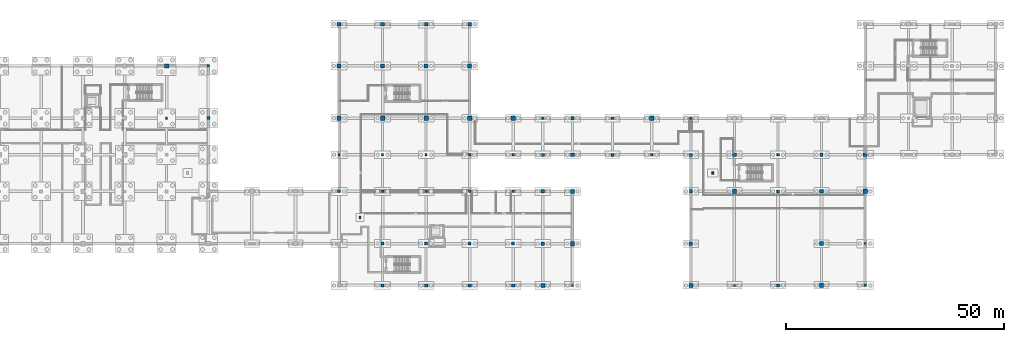
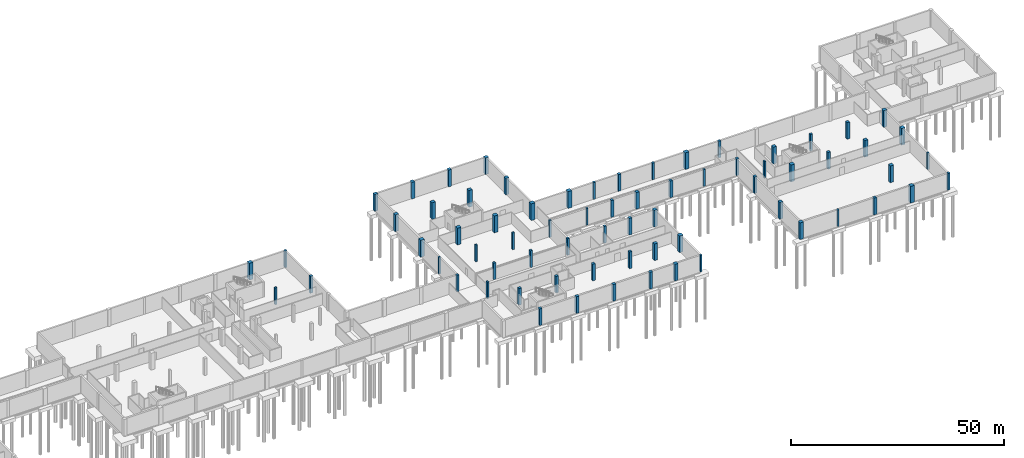
# One storey, part 9 of 28: 70 columns.
"""IFC4 building model written with IfcOpenShell, lengths in metres."""

from ifc_helpers import new_model, si_unit, direction, frame, origin, origin_2d, place, context, subcontext, project, spatial, rectangle, extrude, material, material_profile, profile_set, type_object, element, save


model = new_model("IFC4")

# Units and contexts
model_context = context("Model", 3, precision=1e-05, world=origin(), true_north=direction((0.0, 1.0)))
body_context = subcontext(model_context, "Body", "Model", "MODEL_VIEW")
ifc_project = project(units=[si_unit("LENGTHUNIT", "METRE"), si_unit("AREAUNIT", "SQUARE_METRE"), si_unit("VOLUMEUNIT", "CUBIC_METRE"), si_unit("PLANEANGLEUNIT", "RADIAN"), si_unit("MASSUNIT", "GRAM", prefix="KILO")], contexts=[model_context])

# Site, building, storey
site_placement = place(None, origin())
site = spatial("IfcSite", under=ifc_project, at=site_placement, CompositionType="ELEMENT")
building_placement = place(site_placement, origin())
building = spatial("IfcBuilding", under=site, at=building_placement, Name="Zereglee Splitstone Museum", CompositionType="ELEMENT")
storey_placement = place(building_placement, frame((0.0, 0.0, -4.800048828125)))
storey = spatial("IfcBuildingStorey", under=building, at=storey_placement, Name="B1", CompositionType="ELEMENT", Elevation=-4.800048828125)

# Columns
ifc_material = material(Name="Concrete C45/55", Category="concrete")
ifc_material_profile_1 = material_profile(ifc_material, rectangle(XDim=1.0, YDim=1.0, at=origin_2d()), Name="RC 1000x1000")
ifc_profile_set_1 = profile_set([ifc_material_profile_1], Name="Concrete C45/55")
column_type_1 = type_object("IfcColumnType", Name="C-02", PredefinedType="COLUMN", material=ifc_profile_set_1)
for number, where, z_axis, x_axis, name in (
    (1, (135.60009765625, 50.39990234375, 0.0), (0.0, 0.0, 1.0), (1.0, 0.0, 0.0), "Column 16/F B1"),
    (2, (175.199951171875, 38.39990234375, 0.0), (0.0, 0.0, 1.0), (1.0, 0.0, 0.0), "Column 20/E B1"),
    (3, (185.199951171875, 38.39990234375, 0.0), (0.0, 0.0, 1.0), (1.0, 0.0, 0.0), "Column 21/E B1"),
    (4, (195.199951171875, 38.39990234375, 0.0), (0.0, 0.0, 1.0), (1.0, 0.0, 0.0), "Column 22/E B1"),
    (5, (205.199951171875, 38.39990234375, 0.0), (0.0, 0.0, 1.0), (1.0, 0.0, 0.0), "Column 23/E B1"),
    (6, (215.199951171875, 38.39990234375, 0.0), (0.0, 0.0, 1.0), (1.0, 0.0, 0.0), "Column 24/E B1"),
    (7, (228.800048828125, 9.60009765625, 0.0), (0.0, 0.0, 1.0), (1.0, 0.0, 0.0), "Column 26/B B1"),
    (8, (247.0, 38.39990234375, 0.0), (0.0, 0.0, 1.0), (1.0, 0.0, 0.0), "Column 28/E B1"),
    (9, (266.0, 21.60009765625, 0.0), (0.0, 0.0, 1.0), (1.0, 0.0, 0.0), "Column 30/C B1"),
    (10, (286.0, 0.0, 0.0), (0.0, 0.0, 1.0), (1.0, 0.0, 0.0), "Column 32/A B1"),
    (11, (296.0, 21.60009765625, 0.0), (0.0, 0.0, 1.0), (1.0, 0.0, 0.0), "Column 33/C B1"),
):
    element("IfcColumn", number, at=place(storey_placement, frame(where, z_axis=z_axis, x_axis=x_axis)), inside=storey, type_object=column_type_1, Name=name, PredefinedType="COLUMN", context=body_context, shape_type="SweptSolid", body=[
        extrude(rectangle(XDim=1.0, YDim=1.0, at=origin_2d()), origin(), (0.0, 0.0, 1.0), 4.800048828125),
    ])
ifc_material_profile_2 = material_profile(ifc_material, rectangle(XDim=0.5, YDim=0.5, at=origin_2d()), Name="RC 500x500")
ifc_profile_set_2 = profile_set([ifc_material_profile_2], Name="Concrete C45/55")
column_type_2 = type_object("IfcColumnType", Name="C-08", PredefinedType="COLUMN", material=ifc_profile_set_2)
for number, where, z_axis, x_axis, name in (
    (12, (135.60009765625, 38.39990234375, 0.0), (0.0, 0.0, 1.0), (1.0, 0.0, 0.0), "Column 16/E B1"),
    (13, (175.199951171875, 30.0, 0.0), (0.0, 0.0, 1.0), (1.0, 0.0, 0.0), "Column 20/D B1"),
    (14, (185.199951171875, 30.0, 0.0), (0.0, 0.0, 1.0), (1.0, 0.0, 0.0), "Column 21/D B1"),
    (15, (195.199951171875, 30.0, 0.0), (0.0, 0.0, 1.0), (1.0, 0.0, 0.0), "Column 22/D B1"),
    (16, (205.199951171875, 30.0, 0.0), (0.0, 0.0, 1.0), (1.0, 0.0, 0.0), "Column 23/D B1"),
    (17, (215.199951171875, 30.0, 0.0), (0.0, 0.0, 1.0), (1.0, 0.0, 0.0), "Column 24/D B1"),
    (18, (228.800048828125, 0.0, 0.0), (0.0, 0.0, 1.0), (1.0, 0.0, 0.0), "Column 26/A B1"),
    (19, (247.0, 30.0, 0.0), (0.0, 0.0, 1.0), (1.0, 0.0, 0.0), "Column 28/D B1"),
    (20, (266.0, 0.0, 0.0), (0.0, 0.0, 1.0), (1.0, 0.0, 0.0), "Column 30/A B1"),
    (21, (296.0, 9.60009765625, 0.0), (0.0, 0.0, 1.0), (1.0, 0.0, 0.0), "Column 33/B B1"),
):
    element("IfcColumn", number, at=place(storey_placement, frame(where, z_axis=z_axis, x_axis=x_axis)), inside=storey, type_object=column_type_2, Name=name, PredefinedType="COLUMN", context=body_context, shape_type="SweptSolid", body=[
        extrude(rectangle(XDim=0.5, YDim=0.5, at=origin_2d()), origin(), (0.0, 0.0, 1.0), 4.800048828125),
    ])
ifc_material_profile_3 = material_profile(ifc_material, rectangle(XDim=0.60009765625, YDim=0.60009765625, at=origin_2d()), Name="RC 600x600")
ifc_profile_set_3 = profile_set([ifc_material_profile_3], Name="Concrete C45/55")
column_type_3 = type_object("IfcColumnType", Name="C-07", PredefinedType="COLUMN", material=ifc_profile_set_3)
for number, where, z_axis, x_axis, name in (
    (22, (145.199951171875, 50.39990234375, 0.0), (0.0, 0.0, 1.0), (1.0, 0.0, 0.0), "Column 17/F B1"),
    (23, (175.199951171875, 21.60009765625, 0.0), (0.0, 0.0, 1.0), (1.0, 0.0, 0.0), "Column 20/C B1"),
    (24, (185.199951171875, 21.60009765625, 0.0), (0.0, 0.0, 1.0), (1.0, 0.0, 0.0), "Column 21/C B1"),
    (25, (195.199951171875, 21.60009765625, 0.0), (0.0, 0.0, 1.0), (1.0, 0.0, 0.0), "Column 22/C B1"),
    (26, (205.199951171875, 21.60009765625, 0.0), (0.0, 0.0, 1.0), (1.0, 0.0, 0.0), "Column 23/C B1"),
    (27, (215.199951171875, 21.60009765625, 0.0), (0.0, 0.0, 1.0), (1.0, 0.0, 0.0), "Column 24/C B1"),
    (28, (222.0, 38.39990234375, 0.0), (0.0, 0.0, 1.0), (1.0, 0.0, 0.0), "Column 25/E B1"),
    (29, (238.0, 38.39990234375, 0.0), (0.0, 0.0, 1.0), (1.0, 0.0, 0.0), "Column 27/E B1"),
    (30, (256.0, 38.39990234375, 0.0), (0.0, 0.0, 1.0), (1.0, 0.0, 0.0), "Column 29/E B1"),
    (31, (276.0, 30.0, 0.0), (0.0, 0.0, 1.0), (1.0, 0.0, 0.0), "Column 31/D B1"),
    (32, (296.0, 0.0, 0.0), (0.0, 0.0, 1.0), (1.0, 0.0, 0.0), "Column 33/A B1"),
):
    element("IfcColumn", number, at=place(storey_placement, frame(where, z_axis=z_axis, x_axis=x_axis)), inside=storey, type_object=column_type_3, Name=name, PredefinedType="COLUMN", context=body_context, shape_type="SweptSolid", body=[
        extrude(rectangle(XDim=0.60009765625, YDim=0.60009765625, at=origin_2d()), origin(), (0.0, 0.0, 1.0), 4.800048828125),
    ])
ifc_material_profile_4 = material_profile(ifc_material, rectangle(XDim=0.699951171875, YDim=0.699951171875, at=origin_2d()), Name="RC 700x700")
ifc_profile_set_4 = profile_set([ifc_material_profile_4], Name="Concrete C45/55")
column_type_4 = type_object("IfcColumnType", Name="C-06", PredefinedType="COLUMN", material=ifc_profile_set_4)
for number, where, z_axis, x_axis, name in (
    (33, (145.199951171875, 38.39990234375, 0.0), (0.0, 0.0, 1.0), (1.0, 0.0, 0.0), "Column 17/E B1"),
    (34, (185.199951171875, 9.60009765625, 0.0), (0.0, 0.0, 1.0), (1.0, 0.0, 0.0), "Column 21/B B1"),
    (35, (195.199951171875, 9.60009765625, 0.0), (0.0, 0.0, 1.0), (1.0, 0.0, 0.0), "Column 22/B B1"),
    (36, (205.199951171875, 9.60009765625, 0.0), (0.0, 0.0, 1.0), (1.0, 0.0, 0.0), "Column 23/B B1"),
    (37, (215.199951171875, 9.60009765625, 0.0), (0.0, 0.0, 1.0), (1.0, 0.0, 0.0), "Column 24/B B1"),
    (38, (222.0, 30.0, 0.0), (0.0, 0.0, 1.0), (1.0, 0.0, 0.0), "Column 25/D B1"),
    (39, (238.0, 30.0, 0.0), (0.0, 0.0, 1.0), (1.0, 0.0, 0.0), "Column 27/D B1"),
    (40, (256.0, 30.0, 0.0), (0.0, 0.0, 1.0), (1.0, 0.0, 0.0), "Column 29/D B1"),
    (41, (276.0, 21.60009765625, 0.0), (0.0, 0.0, 1.0), (1.0, 0.0, 0.0), "Column 31/C B1"),
):
    element("IfcColumn", number, at=place(storey_placement, frame(where, z_axis=z_axis, x_axis=x_axis)), inside=storey, type_object=column_type_4, Name=name, PredefinedType="COLUMN", context=body_context, shape_type="SweptSolid", body=[
        extrude(rectangle(XDim=0.699951171875, YDim=0.699951171875, at=origin_2d()), origin(), (0.0, 0.0, 1.0), 4.800048828125),
    ])
ifc_material_profile_5 = material_profile(ifc_material, rectangle(XDim=0.75, YDim=0.75, at=origin_2d()), Name="RC 750x750")
ifc_profile_set_5 = profile_set([ifc_material_profile_5], Name="Concrete C45/55")
column_type_5 = type_object("IfcColumnType", Name="C-05", PredefinedType="COLUMN", material=ifc_profile_set_5)
for number, where, z_axis, x_axis, name in (
    (42, (185.199951171875, 0.0, 0.0), (0.0, 0.0, 1.0), (1.0, 0.0, 0.0), "Column 21/A B1"),
    (43, (195.199951171875, 0.0, 0.0), (0.0, 0.0, 1.0), (1.0, 0.0, 0.0), "Column 22/A B1"),
    (44, (205.199951171875, 0.0, 0.0), (0.0, 0.0, 1.0), (1.0, 0.0, 0.0), "Column 23/A B1"),
    (45, (215.199951171875, 0.0, 0.0), (0.0, 0.0, 1.0), (1.0, 0.0, 0.0), "Column 24/A B1"),
    (46, (222.0, 21.60009765625, 0.0), (0.0, 0.0, 1.0), (1.0, 0.0, 0.0), "Column 25/C B1"),
    (47, (228.800048828125, 38.39990234375, 0.0), (0.0, 0.0, 1.0), (1.0, 0.0, 0.0), "Column 26/E B1"),
    (48, (256.0, 21.60009765625, 0.0), (0.0, 0.0, 1.0), (1.0, 0.0, 0.0), "Column 29/C B1"),
    (49, (276.0, 0.0, 0.0), (0.0, 0.0, 1.0), (1.0, 0.0, 0.0), "Column 31/A B1"),
    (50, (286.0, 30.0, 0.0), (0.0, 0.0, 1.0), (1.0, 0.0, 0.0), "Column 32/D B1"),
):
    element("IfcColumn", number, at=place(storey_placement, frame(where, z_axis=z_axis, x_axis=x_axis)), inside=storey, type_object=column_type_5, Name=name, PredefinedType="COLUMN", context=body_context, shape_type="SweptSolid", body=[
        extrude(rectangle(XDim=0.75, YDim=0.75, at=origin_2d()), origin(), (0.0, 0.0, 1.0), 4.800048828125),
    ])
ifc_material_profile_6 = material_profile(ifc_material, rectangle(XDim=0.85009765625, YDim=0.85009765625, at=origin_2d()), Name="RC 850x850")
ifc_profile_set_6 = profile_set([ifc_material_profile_6], Name="Concrete C45/55")
column_type_6 = type_object("IfcColumnType", Name="C-04", PredefinedType="COLUMN", material=ifc_profile_set_6)
for number, where, z_axis, x_axis, name in (
    (51, (175.199951171875, 60.0, 0.0), (0.0, 0.0, 1.0), (1.0, 0.0, 0.0), "Column 20/G B1"),
    (52, (185.199951171875, 60.0, 0.0), (0.0, 0.0, 1.0), (1.0, 0.0, 0.0), "Column 21/G B1"),
    (53, (195.199951171875, 60.0, 0.0), (0.0, 0.0, 1.0), (1.0, 0.0, 0.0), "Column 22/G B1"),
    (54, (205.199951171875, 60.0, 0.0), (0.0, 0.0, 1.0), (1.0, 0.0, 0.0), "Column 23/G B1"),
    (55, (222.0, 9.60009765625, 0.0), (0.0, 0.0, 1.0), (1.0, 0.0, 0.0), "Column 25/B B1"),
    (56, (228.800048828125, 30.0, 0.0), (0.0, 0.0, 1.0), (1.0, 0.0, 0.0), "Column 26/D B1"),
    (57, (256.0, 9.60009765625, 0.0), (0.0, 0.0, 1.0), (1.0, 0.0, 0.0), "Column 29/B B1"),
    (58, (286.0, 21.60009765625, 0.0), (0.0, 0.0, 1.0), (1.0, 0.0, 0.0), "Column 32/C B1"),
):
    element("IfcColumn", number, at=place(storey_placement, frame(where, z_axis=z_axis, x_axis=x_axis)), inside=storey, type_object=column_type_6, Name=name, PredefinedType="COLUMN", context=body_context, shape_type="SweptSolid", body=[
        extrude(rectangle(XDim=0.85009765625, YDim=0.85009765625, at=origin_2d()), origin(), (0.0, 0.0, 1.0), 4.800048828125),
    ])
ifc_material_profile_7 = material_profile(ifc_material, rectangle(XDim=0.89990234375, YDim=0.89990234375, at=origin_2d()), Name="RC 900x900")
ifc_profile_set_7 = profile_set([ifc_material_profile_7], Name="Concrete C45/55")
column_type_7 = type_object("IfcColumnType", Name="C-03", PredefinedType="COLUMN", material=ifc_profile_set_7)
for number, where, z_axis, x_axis, name in (
    (59, (175.199951171875, 50.39990234375, 0.0), (0.0, 0.0, 1.0), (1.0, 0.0, 0.0), "Column 20/F B1"),
    (60, (185.199951171875, 50.39990234375, 0.0), (0.0, 0.0, 1.0), (1.0, 0.0, 0.0), "Column 21/F B1"),
    (61, (195.199951171875, 50.39990234375, 0.0), (0.0, 0.0, 1.0), (1.0, 0.0, 0.0), "Column 22/F B1"),
    (62, (205.199951171875, 50.39990234375, 0.0), (0.0, 0.0, 1.0), (1.0, 0.0, 0.0), "Column 23/F B1"),
    (63, (222.0, 0.0, 0.0), (0.0, 0.0, 1.0), (1.0, 0.0, 0.0), "Column 25/A B1"),
    (64, (228.800048828125, 21.60009765625, 0.0), (0.0, 0.0, 1.0), (1.0, 0.0, 0.0), "Column 26/C B1"),
    (65, (256.0, 0.0, 0.0), (0.0, 0.0, 1.0), (1.0, 0.0, 0.0), "Column 29/A B1"),
    (66, (266.0, 30.0, 0.0), (0.0, 0.0, 1.0), (1.0, 0.0, 0.0), "Column 30/D B1"),
    (67, (286.0, 9.60009765625, 0.0), (0.0, 0.0, 1.0), (1.0, 0.0, 0.0), "Column 32/B B1"),
    (68, (296.0, 30.0, 0.0), (0.0, 0.0, 1.0), (1.0, 0.0, 0.0), "Column 33/D B1"),
):
    element("IfcColumn", number, at=place(storey_placement, frame(where, z_axis=z_axis, x_axis=x_axis)), inside=storey, type_object=column_type_7, Name=name, PredefinedType="COLUMN", context=body_context, shape_type="SweptSolid", body=[
        extrude(rectangle(XDim=0.89990234375, YDim=0.89990234375, at=origin_2d()), origin(), (0.0, 0.0, 1.0), 4.800048828125),
    ])
ifc_material_profile_8 = material_profile(ifc_material, rectangle(XDim=0.39990234375, YDim=0.64990234375, at=origin_2d()), Name="RC 400x650")
ifc_profile_set_8 = profile_set([ifc_material_profile_8], Name="Concrete C45/55")
column_type_8 = type_object("IfcColumnType", Name="CP-02", PredefinedType="PILASTER", material=ifc_profile_set_8)
for number, where, z_axis, x_axis, name in (
    (69, (180.0, 15.60009765625, 0.0), (0.0, 0.0, 1.0), (1.0, 0.0, 0.0), "Basement Archive Pilaster PF5"),
    (70, (261.0, 25.800048828125, 0.0), (0.0, 0.0, 1.0), (1.0, 0.0, 0.0), "Basement Archive Pilaster PF6"),
):
    element("IfcColumn", number, at=place(storey_placement, frame(where, z_axis=z_axis, x_axis=x_axis)), inside=storey, type_object=column_type_8, Name=name, PredefinedType="PILASTER", context=body_context, shape_type="SweptSolid", body=[
        extrude(rectangle(XDim=0.39990234375, YDim=0.64990234375, at=origin_2d()), origin(), (0.0, 0.0, 1.0), 4.800048828125),
    ])

save(model, "model.ifc")
